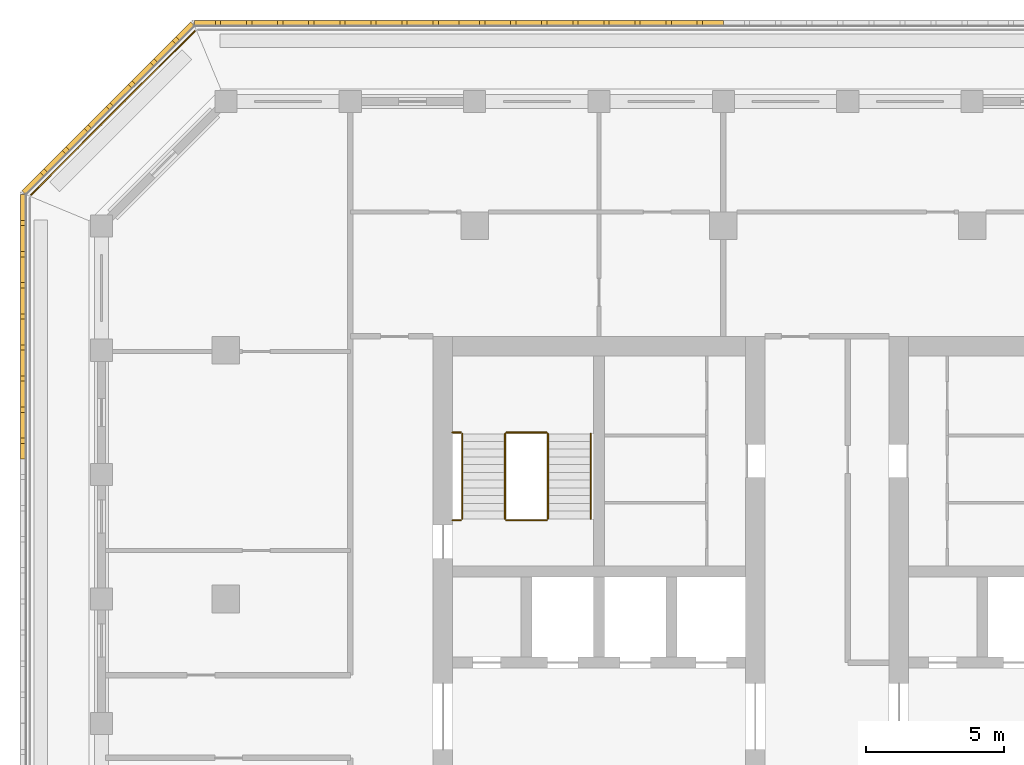
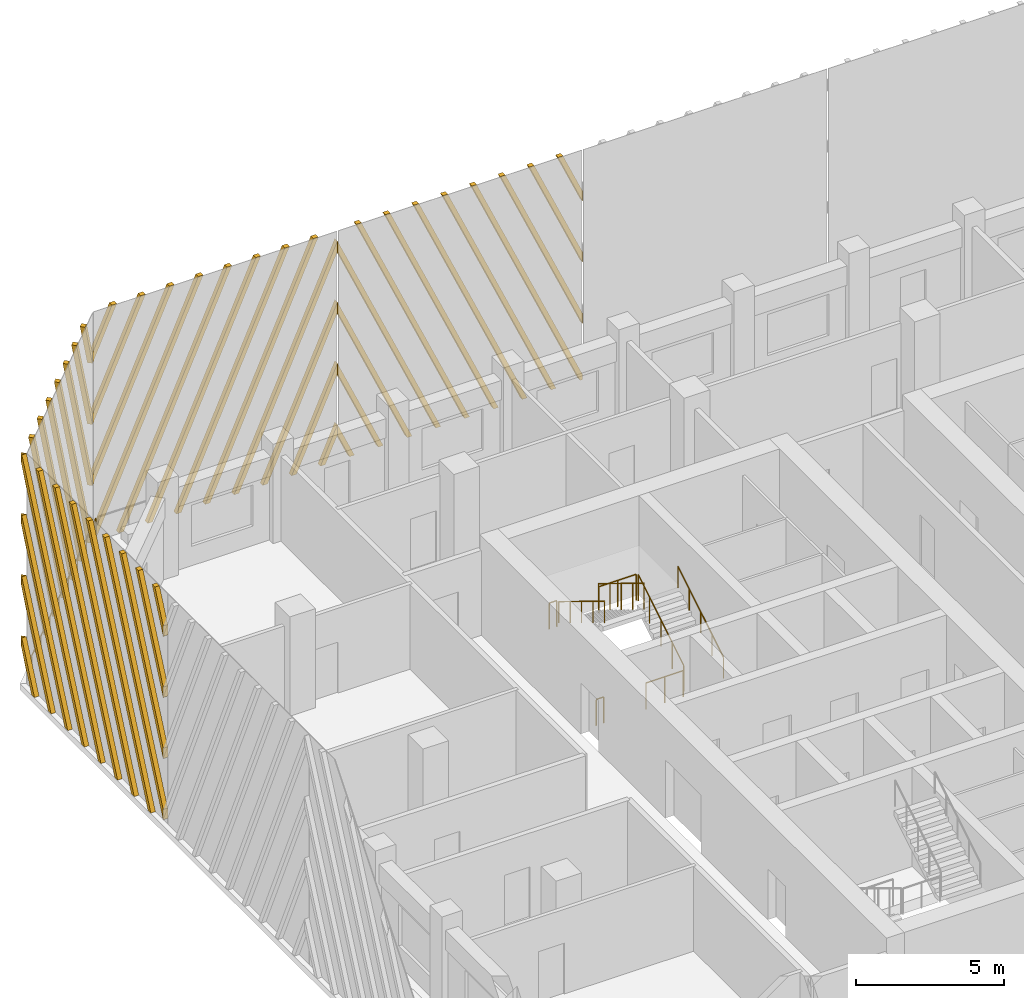
# One storey, part 13 of 16: 9 railings, 4 shading devices.
"""IFC4 building model written with IfcOpenShell, lengths in metres."""

import ifcopenshell
import ifcopenshell.guid

model = None  # the IFC model being written
_history = None  # IfcOwnerHistory: only IFC2X3 demands one
_inside = {}  # id of a spatial element -> (the spatial element, [elements in it])
_under = {}  # id of a project, library or spatial element -> (it, [spatial elements below it])
_declared = {}  # id of a project -> (the project, [libraries it declares])
_typed = {}  # id of a type object -> (the type object, [elements of that type])
_made_of = {}  # id of a material, layer set ... -> (it, [elements and type objects made of it])


def new_model(schema):
    """Start an empty IFC model of exactly this schema.

    Asked for "IFC4X3", IfcOpenShell would pick the latest addendum, in which some entities
    have other attributes; the version numbers below select the first issue.
    IFC2X3 requires an IfcOwnerHistory on every rooted entity: one is made here for all.
    """
    global model, _history
    if schema == "IFC4X3":
        model = ifcopenshell.file(schema_version=(4, 3, 0, 0))
    else:
        model = ifcopenshell.file(schema=schema)
    _inside.clear()
    _under.clear()
    _declared.clear()
    _typed.clear()
    _made_of.clear()
    _history = None
    if model.schema == "IFC2X3":
        org = make("IfcOrganization", Name="unknown")
        user = make(
            "IfcPersonAndOrganization",
            ThePerson=make("IfcPerson", FamilyName="unknown"),
            TheOrganization=org,
        )
        app = make(
            "IfcApplication",
            ApplicationDeveloper=org,
            Version="unknown",
            ApplicationFullName="unknown",
            ApplicationIdentifier="unknown",
        )
        _history = make(
            "IfcOwnerHistory",
            OwningUser=user,
            OwningApplication=app,
            ChangeAction="ADDED",
            CreationDate=0,
        )
    return model


def make(cls, **values):
    """One entity of the class cls with the attributes given. An attribute that is None is left unset."""
    return model.create_entity(
        cls, **{name: value for name, value in values.items() if value is not None}
    )


def rooted(cls, **values):
    """An entity with a GlobalId (a new one), such as an element, a storey or a relation."""
    return make(cls, GlobalId=ifcopenshell.guid.new(), OwnerHistory=_history, **values)


def si_unit(unit_type, name, prefix=None):
    """IfcSIUnit, for example si_unit("LENGTHUNIT", "METRE", prefix="MILLI")."""
    return make("IfcSIUnit", UnitType=unit_type, Prefix=prefix, Name=name)


def assignment(units):
    """IfcUnitAssignment: the units of a project."""
    return None if units is None else make("IfcUnitAssignment", Units=units)


def point(xyz):
    """IfcCartesianPoint."""
    return None if xyz is None else make("IfcCartesianPoint", Coordinates=xyz)


def direction(xyz):
    """IfcDirection."""
    return None if xyz is None else make("IfcDirection", DirectionRatios=xyz)


def frame(location, z_axis=None, x_axis=None):
    """IfcAxis2Placement3D, a coordinate frame: its origin and axes. An axis left out is left unset."""
    return make(
        "IfcAxis2Placement3D",
        Location=point(location),
        Axis=direction(z_axis),
        RefDirection=direction(x_axis),
    )


def frame_2d(location, x_axis=None):
    """IfcAxis2Placement2D, a coordinate frame in the plane: its origin and x axis."""
    return make(
        "IfcAxis2Placement2D", Location=point(location), RefDirection=direction(x_axis)
    )


def origin():
    """The frame at (0, 0, 0) with its axes left unset."""
    return frame((0.0, 0.0, 0.0))


def origin_2d():
    """The frame at (0, 0) in the plane with its x axis left unset."""
    return frame_2d((0.0, 0.0))


def place(relative_to, where):
    """IfcLocalPlacement: puts the frame where relative to a parent placement (None: the world)."""
    return make(
        "IfcLocalPlacement", PlacementRelTo=relative_to, RelativePlacement=where
    )


def context(
    kind, dimensions, precision=None, world=None, true_north=None, identifier=None
):
    """IfcGeometricRepresentationContext, for example the 3D "Model" context."""
    return make(
        "IfcGeometricRepresentationContext",
        ContextIdentifier=identifier,
        ContextType=kind,
        CoordinateSpaceDimension=dimensions,
        Precision=precision,
        WorldCoordinateSystem=world,
        TrueNorth=true_north,
    )


def subcontext(parent, identifier, kind, view, scale=None):
    """IfcGeometricRepresentationSubContext, for example "Body" below "Model"."""
    return make(
        "IfcGeometricRepresentationSubContext",
        ContextIdentifier=identifier,
        ContextType=kind,
        ParentContext=parent,
        TargetScale=scale,
        TargetView=view,
    )


def project(units=None, contexts=None):
    """IfcProject with its units and contexts."""
    return rooted(
        "IfcProject",
        Name="project",
        RepresentationContexts=contexts,
        UnitsInContext=assignment(units),
    )


def spatial(cls, under=None, at=None, **own):
    """A site, building, storey or space (cls), placed at a placement, below another one or the project."""
    s = rooted(cls, ObjectPlacement=at, **own)
    if under is not None:
        _under.setdefault(under.id(), (under, []))[1].append(s)
    return s


def polyline(points):
    """IfcPolyline through the points."""
    return make("IfcPolyline", Points=[point(p) for p in points])


def profile(cls, at=None, kind="AREA", **sizes):
    """A parametric profile (cls). Its sizes go by their IFC names, for example OverallWidth=200.0."""
    return make(cls, ProfileType=kind, Position=at, **sizes)


def circle(**sizes):
    """IfcCircleProfileDef."""
    return profile("IfcCircleProfileDef", **sizes)


def outline(outer, holes=None, kind="AREA"):
    """IfcArbitraryClosedProfileDef: a profile drawn as a closed curve; with holes, ...WithVoids."""
    if holes is None:
        return make("IfcArbitraryClosedProfileDef", ProfileType=kind, OuterCurve=outer)
    return make(
        "IfcArbitraryProfileDefWithVoids",
        ProfileType=kind,
        OuterCurve=outer,
        InnerCurves=holes,
    )


def extrude(swept, where, along, depth):
    """IfcExtrudedAreaSolid: the profile swept, set in the frame where, extruded along a direction by depth."""
    return make(
        "IfcExtrudedAreaSolid",
        SweptArea=swept,
        Position=where,
        ExtrudedDirection=direction(along),
        Depth=depth,
    )


def shape(context_of_items, identifier, shape_type, items):
    """IfcShapeRepresentation: the items that make up one representation, for example the "Body"."""
    return make(
        "IfcShapeRepresentation",
        ContextOfItems=context_of_items,
        RepresentationIdentifier=identifier,
        RepresentationType=shape_type,
        Items=items,
    )


def source(mapping_origin, context_of_items, identifier, shape_type, items):
    """IfcRepresentationMap: a shape defined once, which mapped items show again and again."""
    return make(
        "IfcRepresentationMap",
        MappingOrigin=mapping_origin,
        MappedRepresentation=shape(context_of_items, identifier, shape_type, items),
    )


def transform(
    local_origin,
    x_axis=None,
    y_axis=None,
    z_axis=None,
    scale=None,
    scale2=None,
    scale3=None,
    uniform=True,
):
    """IfcCartesianTransformationOperator3D, or its non-uniform kind. x_axis, y_axis, z_axis: its Axis1, 2, 3."""
    if uniform:
        return make(
            "IfcCartesianTransformationOperator3D",
            Axis1=direction(x_axis),
            Axis2=direction(y_axis),
            LocalOrigin=point(local_origin),
            Scale=scale,
            Axis3=direction(z_axis),
        )
    return make(
        "IfcCartesianTransformationOperator3DnonUniform",
        Axis1=direction(x_axis),
        Axis2=direction(y_axis),
        LocalOrigin=point(local_origin),
        Scale=scale,
        Axis3=direction(z_axis),
        Scale2=scale2,
        Scale3=scale3,
    )


def mapped(mapping_source, mapping_target):
    """IfcMappedItem: shows the shape of a source again, moved by a transform."""
    return make(
        "IfcMappedItem", MappingSource=mapping_source, MappingTarget=mapping_target
    )


def material(Name=None, Category=None):
    """IfcMaterial."""
    return make("IfcMaterial", Name=Name, Category=Category)


def made_of(thing, what):
    """Note that an element or type object is made of a material, layer set ...; save() writes the relation."""
    if what is not None:
        _made_of.setdefault(what.id(), (what, []))[1].append(thing)
    return thing


def type_object(cls, material=None, **own):
    """A type object (cls), such as IfcWallType, which elements share."""
    return made_of(rooted(cls, **own), material)


def element(
    cls,
    number,
    at=None,
    inside=None,
    cuts=None,
    type_object=None,
    material=None,
    context=None,
    identifier="Body",
    shape_type=None,
    held_by="IfcProductDefinitionShape",
    body=None,
    shapes=None,
    **own,
):
    """One element of the class cls, such as IfcWall. Its Tag is "e" and its number.

    at: its placement. inside: the storey or other place that contains it. cuts: it is an
    opening in that element (IfcRelVoidsElement). A single representation is given by context,
    identifier, shape_type and body (its items); several are given by shapes. held_by: the class
    of the entity that holds the representations. save() writes the other relations.
    """
    e = rooted(cls, Tag="e%d" % number, ObjectPlacement=at, **own)
    if body is not None:
        shapes = [shape(context, identifier, shape_type, body)]
    if shapes is not None:
        e.Representation = make(held_by, Representations=shapes)
    if inside is not None:
        _inside.setdefault(inside.id(), (inside, []))[1].append(e)
    if cuts is not None:
        rooted(
            "IfcRelVoidsElement", RelatingBuildingElement=cuts, RelatedOpeningElement=e
        )
    if type_object is not None:
        _typed.setdefault(type_object.id(), (type_object, []))[1].append(e)
    return made_of(e, material)


def aggregate(whole, parts):
    """IfcRelAggregates: a whole, such as a stair, and the parts it consists of."""
    return rooted("IfcRelAggregates", RelatingObject=whole, RelatedObjects=parts)


def save(model, path):
    """Write the relations noted so far, then the file.

    IfcRelAggregates (storeys below a building ...), IfcRelContainedInSpatialStructure (elements
    in a storey), IfcRelDefinesByType, IfcRelAssociatesMaterial and IfcRelDeclares: one each for
    every whole, place, type object, material and project.
    """
    for whole, parts in _under.values():
        aggregate(whole, parts)
    for where, things in _inside.values():
        rooted(
            "IfcRelContainedInSpatialStructure",
            RelatedElements=things,
            RelatingStructure=where,
        )
    for kind, things in _typed.values():
        rooted("IfcRelDefinesByType", RelatedObjects=things, RelatingType=kind)
    for what, things in _made_of.values():
        rooted("IfcRelAssociatesMaterial", RelatedObjects=things, RelatingMaterial=what)
    for by, libraries in _declared.values():
        rooted("IfcRelDeclares", RelatingContext=by, RelatedDefinitions=libraries)
    model.write(path)


model = new_model("IFC4")

# Units and contexts
model_context = context("Model", 3, precision=1e-05, world=origin(), true_north=direction((0.0, 1.0)))
body_context = subcontext(model_context, "Body", "Model", "MODEL_VIEW")
ifc_project = project(units=[si_unit("LENGTHUNIT", "METRE"), si_unit("AREAUNIT", "SQUARE_METRE"), si_unit("VOLUMEUNIT", "CUBIC_METRE"), si_unit("PLANEANGLEUNIT", "RADIAN"), si_unit("MASSUNIT", "GRAM", prefix="KILO")], contexts=[model_context])

# Site, building, storey
site_placement = place(None, origin())
site = spatial("IfcSite", under=ifc_project, at=site_placement, CompositionType="ELEMENT")
building_placement = place(site_placement, origin())
building = spatial("IfcBuilding", under=site, at=building_placement, Name="Corbel Stack Research Tower", CompositionType="ELEMENT")
storey_placement = place(building_placement, frame((0.0, 0.0, 290.89990234375)))
storey = spatial("IfcBuildingStorey", under=building, at=storey_placement, Name="L66", CompositionType="ELEMENT", Elevation=290.89990234375)

# Railings
ifc_material_1 = material(Name="Steel S355", Category="steel")
railing_type_1 = type_object("IfcRailingType", Name="Stair guard 1100", PredefinedType="GUARDRAIL", material=ifc_material_1)
railing_1_placement = place(storey_placement, frame((-6.35009765625, 11.89990234375, 0.1708984375)))
element("IfcRailing", 1, at=railing_1_placement, inside=storey, type_object=railing_type_1, Name="L66 ST-W2 stair guard 1", PredefinedType="GUARDRAIL", context=body_context, shape_type="SweptSolid", body=[
    extrude(circle(Radius=0.02392578125, at=origin_2d()), frame((0.0, 0.0, 1.076171875), z_axis=(0.0, 0.853666305674, 0.52082035152), x_axis=(-1.0, 0.0, 0.0)), (0.0, 0.0, 1.0), 3.608154296875),
    extrude(circle(Radius=0.02099609375, at=origin_2d()), origin(), (0.0, 0.0, 1.0), 1.052001953125),
    extrude(circle(Radius=0.02099609375, at=origin_2d()), frame((0.0, 0.77001953125, 0.4697265625)), (0.0, 0.0, 1.0), 1.052001953125),
    extrude(circle(Radius=0.02099609375, at=origin_2d()), frame((0.0, 1.5400390625, 0.939453125)), (0.0, 0.0, 1.0), 1.052001953125),
    extrude(circle(Radius=0.02099609375, at=origin_2d()), frame((0.0, 2.31005859375, 1.409423828125)), (0.0, 0.0, 1.0), 1.052001953125),
    extrude(circle(Radius=0.02099609375, at=origin_2d()), frame((0.0, 3.080078125, 1.879150390625)), (0.0, 0.0, 1.0), 1.052001953125),
])
railing_2_placement = place(storey_placement, frame((-6.39990234375, 15.030029296875, 2.050048828125)))
element("IfcRailing", 2, at=railing_2_placement, inside=storey, type_object=railing_type_1, Name="L66 ST-W2 stair guard 2", PredefinedType="GUARDRAIL", context=body_context, shape_type="SweptSolid", body=[
    extrude(circle(Radius=0.02392578125, at=origin_2d()), frame((0.0, 0.0, 1.076171875), z_axis=(-1.0, 0.0, 0.0), x_axis=(0.0, -1.0, 0.0)), (0.0, 0.0, 1.0), 1.4501953125),
    extrude(circle(Radius=0.02099609375, at=origin_2d()), origin(), (0.0, 0.0, 1.0), 1.052001953125),
    extrude(circle(Radius=0.02099609375, at=origin_2d()), frame((-0.72509765625, 0.0, 0.0)), (0.0, 0.0, 1.0), 1.052001953125),
    extrude(circle(Radius=0.02099609375, at=origin_2d()), frame((-1.4501953125, 0.0, 0.0)), (0.0, 0.0, 1.0), 1.052001953125),
])
railing_3_placement = place(storey_placement, frame((-9.5, 15.030029296875, 2.050048828125)))
element("IfcRailing", 3, at=railing_3_placement, inside=storey, type_object=railing_type_1, Name="L66 ST-W2 stair guard 3", PredefinedType="GUARDRAIL", context=body_context, shape_type="SweptSolid", body=[
    extrude(circle(Radius=0.02392578125, at=origin_2d()), frame((0.0, 0.0, 1.076171875), z_axis=(-1.0, 0.0, 0.0), x_axis=(0.0, -1.0, 0.0)), (0.0, 0.0, 1.0), 0.300048828125),
    extrude(circle(Radius=0.02099609375, at=origin_2d()), origin(), (0.0, 0.0, 1.0), 1.052001953125),
    extrude(circle(Radius=0.02099609375, at=origin_2d()), frame((-0.300048828125, 0.0, 0.0)), (0.0, 0.0, 1.0), 1.052001953125),
])
railing_4_placement = place(storey_placement, frame((-7.89990234375, 14.97998046875, 2.220947265625)))
element("IfcRailing", 4, at=railing_4_placement, inside=storey, type_object=railing_type_1, Name="L66 ST-W2 stair guard 4", PredefinedType="GUARDRAIL", context=body_context, shape_type="SweptSolid", body=[
    extrude(circle(Radius=0.02392578125, at=origin_2d()), frame((0.0, 0.0, 1.076171875), z_axis=(0.0, -0.853666305674, 0.52082035152), x_axis=(1.0, 0.0, 0.0)), (0.0, 0.0, 1.0), 3.608154296875),
    extrude(circle(Radius=0.02099609375, at=origin_2d()), origin(), (0.0, 0.0, 1.0), 1.052001953125),
    extrude(circle(Radius=0.02099609375, at=origin_2d()), frame((0.0, -0.77001953125, 0.4697265625)), (0.0, 0.0, 1.0), 1.052001953125),
    extrude(circle(Radius=0.02099609375, at=origin_2d()), frame((0.0, -1.5400390625, 0.939453125)), (0.0, 0.0, 1.0), 1.052001953125),
    extrude(circle(Radius=0.02099609375, at=origin_2d()), frame((0.0, -2.31005859375, 1.409423828125)), (0.0, 0.0, 1.0), 1.052001953125),
    extrude(circle(Radius=0.02099609375, at=origin_2d()), frame((0.0, -3.080078125, 1.879150390625)), (0.0, 0.0, 1.0), 1.052001953125),
])
railing_5_placement = place(storey_placement, frame((-6.39990234375, 11.85009765625, 0.0)))
element("IfcRailing", 5, at=railing_5_placement, inside=storey, type_object=railing_type_1, Name="L66 ST-W2 stair guard 5", PredefinedType="GUARDRAIL", context=body_context, shape_type="SweptSolid", body=[
    extrude(circle(Radius=0.02392578125, at=origin_2d()), frame((0.0, 0.0, 1.076171875), z_axis=(-1.0, 0.0, 0.0), x_axis=(0.0, -1.0, 0.0)), (0.0, 0.0, 1.0), 1.4501953125),
    extrude(circle(Radius=0.02099609375, at=origin_2d()), origin(), (0.0, 0.0, 1.0), 1.052001953125),
    extrude(circle(Radius=0.02099609375, at=origin_2d()), frame((-0.72509765625, 0.0, 0.0)), (0.0, 0.0, 1.0), 1.052001953125),
    extrude(circle(Radius=0.02099609375, at=origin_2d()), frame((-1.4501953125, 0.0, 0.0)), (0.0, 0.0, 1.0), 1.052001953125),
])
railing_6_placement = place(storey_placement, frame((-9.5, 11.85009765625, 0.0)))
element("IfcRailing", 6, at=railing_6_placement, inside=storey, type_object=railing_type_1, Name="L66 ST-W2 stair guard 6", PredefinedType="GUARDRAIL", context=body_context, shape_type="SweptSolid", body=[
    extrude(circle(Radius=0.02392578125, at=origin_2d()), frame((0.0, 0.0, 1.076171875), z_axis=(-1.0, 0.0, 0.0), x_axis=(0.0, -1.0, 0.0)), (0.0, 0.0, 1.0), 0.300048828125),
    extrude(circle(Radius=0.02099609375, at=origin_2d()), origin(), (0.0, 0.0, 1.0), 1.052001953125),
    extrude(circle(Radius=0.02099609375, at=origin_2d()), frame((-0.300048828125, 0.0, 0.0)), (0.0, 0.0, 1.0), 1.052001953125),
])
ifc_material_2 = material(Name="Steel S355", Category="steel")
railing_type_2 = type_object("IfcRailingType", Name="Stair handrail 900", PredefinedType="HANDRAIL", material=ifc_material_2)
railing_7_placement = place(storey_placement, frame((-4.800048828125, 11.89990234375, 0.1708984375)))
element("IfcRailing", 7, at=railing_7_placement, inside=storey, type_object=railing_type_2, Name="L66 ST-W2 stair handrail 1", PredefinedType="HANDRAIL", context=body_context, shape_type="SweptSolid", body=[
    extrude(circle(Radius=0.02392578125, at=origin_2d()), frame((0.0, 0.0, 0.8759765625), z_axis=(0.0, 0.853666305674, 0.52082035152), x_axis=(-1.0, 0.0, 0.0)), (0.0, 0.0, 1.0), 3.608154296875),
    extrude(circle(Radius=0.02099609375, at=origin_2d()), origin(), (0.0, 0.0, 1.0), 0.851806640625),
    extrude(circle(Radius=0.02099609375, at=origin_2d()), frame((0.0, 0.77001953125, 0.4697265625)), (0.0, 0.0, 1.0), 0.851806640625),
    extrude(circle(Radius=0.02099609375, at=origin_2d()), frame((0.0, 1.5400390625, 0.939453125)), (0.0, 0.0, 1.0), 0.851806640625),
    extrude(circle(Radius=0.02099609375, at=origin_2d()), frame((0.0, 2.31005859375, 1.409423828125)), (0.0, 0.0, 1.0), 0.851806640625),
    extrude(circle(Radius=0.02099609375, at=origin_2d()), frame((0.0, 3.080078125, 1.879150390625)), (0.0, 0.0, 1.0), 0.851806640625),
])
railing_8_placement = place(storey_placement, frame((-9.449951171875, 14.97998046875, 2.220947265625)))
element("IfcRailing", 8, at=railing_8_placement, inside=storey, type_object=railing_type_2, Name="L66 ST-W2 stair handrail 2", PredefinedType="HANDRAIL", context=body_context, shape_type="SweptSolid", body=[
    extrude(circle(Radius=0.02392578125, at=origin_2d()), frame((0.0, 0.0, 0.8759765625), z_axis=(0.0, -0.853666305674, 0.52082035152), x_axis=(1.0, 0.0, 0.0)), (0.0, 0.0, 1.0), 3.608154296875),
    extrude(circle(Radius=0.02099609375, at=origin_2d()), origin(), (0.0, 0.0, 1.0), 0.851806640625),
    extrude(circle(Radius=0.02099609375, at=origin_2d()), frame((0.0, -0.77001953125, 0.4697265625)), (0.0, 0.0, 1.0), 0.851806640625),
    extrude(circle(Radius=0.02099609375, at=origin_2d()), frame((0.0, -1.5400390625, 0.939453125)), (0.0, 0.0, 1.0), 0.851806640625),
    extrude(circle(Radius=0.02099609375, at=origin_2d()), frame((0.0, -2.31005859375, 1.409423828125)), (0.0, 0.0, 1.0), 0.851806640625),
    extrude(circle(Radius=0.02099609375, at=origin_2d()), frame((0.0, -3.080078125, 1.879150390625)), (0.0, 0.0, 1.0), 0.851806640625),
])
ifc_material_3 = material(Name="Powder-coated steel guard", Category="steel")
railing_type_3 = type_object("IfcRailingType", Name="Steel and glass guard 1100", PredefinedType="GUARDRAIL", material=ifc_material_3)
railing_9_placement = place(storey_placement, frame((-19.127685546875, 29.54931640625, 0.0)))
element("IfcRailing", 9, at=railing_9_placement, inside=storey, type_object=railing_type_3, Name="Loggia guard L66 NW", PredefinedType="GUARDRAIL", context=body_context, shape_type="SweptSolid", body=[
    extrude(circle(Radius=0.02392578125, at=origin_2d()), frame((0.0, 0.0, 1.076171875), z_axis=(-0.707106781187, -0.707106781187, 0.0), x_axis=(0.707106781187, -0.707106781187, 0.0)), (0.0, 0.0, 1.0), 8.37451171875),
    extrude(circle(Radius=0.02099609375, at=origin_2d()), origin(), (0.0, 0.0, 1.0), 1.052001953125),
    extrude(circle(Radius=0.02099609375, at=origin_2d()), frame((-0.845947265625, -0.845947265625, 0.0)), (0.0, 0.0, 1.0), 1.052001953125),
    extrude(circle(Radius=0.02099609375, at=origin_2d()), frame((-1.69189453125, -1.69189453125, 0.0)), (0.0, 0.0, 1.0), 1.052001953125),
    extrude(circle(Radius=0.02099609375, at=origin_2d()), frame((-2.537841796875, -2.537841796875, 0.0)), (0.0, 0.0, 1.0), 1.052001953125),
    extrude(circle(Radius=0.02099609375, at=origin_2d()), frame((-3.3837890625, -3.3837890625, 0.0)), (0.0, 0.0, 1.0), 1.052001953125),
    extrude(circle(Radius=0.02099609375, at=origin_2d()), frame((-4.229736328125, -4.229736328125, 0.0)), (0.0, 0.0, 1.0), 1.052001953125),
    extrude(circle(Radius=0.02099609375, at=origin_2d()), frame((-5.07568359375, -5.07568359375, 0.0)), (0.0, 0.0, 1.0), 1.052001953125),
    extrude(circle(Radius=0.02099609375, at=origin_2d()), frame((-5.921630859375, -5.921630859375, 0.0)), (0.0, 0.0, 1.0), 1.052001953125),
])

# Shading devices
ifc_material_4 = material(Name="Precast terracotta", Category="masonry")
shading_device_type = type_object("IfcShadingDeviceType", Name="Terracotta screen panel", PredefinedType="USERDEFINED", material=ifc_material_4)
shared_shape_1 = source(origin(), body_context, "Body", "SweptSolid", [
    extrude(outline(polyline([(0.94970703125, 9.5), (0.759765625, 9.5), (0.0, 7.793701171875), (0.0, 7.366943359375), (0.94970703125, 9.5)])), frame((0.0, 0.0, 0.0), z_axis=(0.0, -1.0, 0.0), x_axis=(1.0, 0.0, 0.0)), (0.0, 0.0, 1.0), 0.179931640625),
    extrude(outline(polyline([(2.07470703125, 9.5), (1.884765625, 9.5), (0.0, 5.26708984375), (0.0, 4.840087890625), (2.07470703125, 9.5)])), frame((0.0, 0.0, 0.0), z_axis=(0.0, -1.0, 0.0), x_axis=(1.0, 0.0, 0.0)), (0.0, 0.0, 1.0), 0.179931640625),
    extrude(outline(polyline([(3.19970703125, 9.5), (3.009765625, 9.5), (0.0, 2.740234375), (0.0, 2.3134765625), (3.19970703125, 9.5)])), frame((0.0, 0.0, 0.0), z_axis=(0.0, -1.0, 0.0), x_axis=(1.0, 0.0, 0.0)), (0.0, 0.0, 1.0), 0.179931640625),
    extrude(outline(polyline([(0.094970703125, 0.0), (4.32470703125, 9.5), (4.134765625, 9.5), (0.0, 0.21337890625), (0.0, 0.0), (0.094970703125, 0.0)])), frame((0.0, 0.0, 0.0), z_axis=(0.0, -1.0, 0.0), x_axis=(1.0, 0.0, 0.0)), (0.0, 0.0, 1.0), 0.179931640625),
    extrude(outline(polyline([(1.219970703125, 0.0), (5.44970703125, 9.5), (5.259765625, 9.5), (1.030029296875, 0.0), (1.219970703125, 0.0)])), frame((0.0, 0.0, 0.0), z_axis=(0.0, -1.0, 0.0), x_axis=(1.0, 0.0, 0.0)), (0.0, 0.0, 1.0), 0.179931640625),
    extrude(outline(polyline([(2.344970703125, 0.0), (6.57470703125, 9.5), (6.384765625, 9.5), (2.155029296875, 0.0), (2.344970703125, 0.0)])), frame((0.0, 0.0, 0.0), z_axis=(0.0, -1.0, 0.0), x_axis=(1.0, 0.0, 0.0)), (0.0, 0.0, 1.0), 0.179931640625),
    extrude(outline(polyline([(3.469970703125, 0.0), (7.69970703125, 9.5), (7.509765625, 9.5), (3.280029296875, 0.0), (3.469970703125, 0.0)])), frame((0.0, 0.0, 0.0), z_axis=(0.0, -1.0, 0.0), x_axis=(1.0, 0.0, 0.0)), (0.0, 0.0, 1.0), 0.179931640625),
    extrude(outline(polyline([(4.594970703125, 0.0), (8.82470703125, 9.5), (8.634765625, 9.5), (4.405029296875, 0.0), (4.594970703125, 0.0)])), frame((0.0, 0.0, 0.0), z_axis=(0.0, -1.0, 0.0), x_axis=(1.0, 0.0, 0.0)), (0.0, 0.0, 1.0), 0.179931640625),
    extrude(outline(polyline([(5.719970703125, 0.0), (9.569580078125, 8.646240234375), (9.569580078125, 9.072998046875), (5.530029296875, 0.0), (5.719970703125, 0.0)])), frame((0.0, 0.0, 0.0), z_axis=(0.0, -1.0, 0.0), x_axis=(1.0, 0.0, 0.0)), (0.0, 0.0, 1.0), 0.179931640625),
    extrude(outline(polyline([(6.844970703125, 0.0), (9.569580078125, 6.119384765625), (9.569580078125, 6.546142578125), (6.655029296875, 0.0), (6.844970703125, 0.0)])), frame((0.0, 0.0, 0.0), z_axis=(0.0, -1.0, 0.0), x_axis=(1.0, 0.0, 0.0)), (0.0, 0.0, 1.0), 0.179931640625),
    extrude(outline(polyline([(7.969970703125, 0.0), (9.569580078125, 3.592529296875), (9.569580078125, 4.019287109375), (7.780029296875, 0.0), (7.969970703125, 0.0)])), frame((0.0, 0.0, 0.0), z_axis=(0.0, -1.0, 0.0), x_axis=(1.0, 0.0, 0.0)), (0.0, 0.0, 1.0), 0.179931640625),
    extrude(outline(polyline([(9.094970703125, 0.0), (9.569580078125, 1.06591796875), (9.569580078125, 1.49267578125), (8.905029296875, 0.0), (9.094970703125, 0.0)])), frame((0.0, 0.0, 0.0), z_axis=(0.0, -1.0, 0.0), x_axis=(1.0, 0.0, 0.0)), (0.0, 0.0, 1.0), 0.179931640625),
])
shading_device_1_placement = place(storey_placement, frame((0.0, 29.75, 0.0), z_axis=(0.0, 0.0, 1.0), x_axis=(-1.0, 0.0, 0.0)))
element("IfcShadingDevice", 10, at=shading_device_1_placement, inside=storey, type_object=shading_device_type, Name="Terracotta screen L66 N3", ObjectType="SCREEN", PredefinedType="USERDEFINED", context=body_context, shape_type="MappedRepresentation", body=[
    mapped(shared_shape_1, transform((0.0, 0.0, 0.0))),
])
shared_shape_2 = source(origin(), body_context, "Body", "SweptSolid", [
    extrude(outline(polyline([(0.66455078125, 0.0), (0.0, 1.49267578125), (0.0, 1.06591796875), (0.474609375, 0.0), (0.66455078125, 0.0)])), frame((0.0, 0.0, 0.0), z_axis=(0.0, -1.0, 0.0), x_axis=(1.0, 0.0, 0.0)), (0.0, 0.0, 1.0), 0.179931640625),
    extrude(outline(polyline([(1.78955078125, 0.0), (0.0, 4.019287109375), (0.0, 3.592529296875), (1.599609375, 0.0), (1.78955078125, 0.0)])), frame((0.0, 0.0, 0.0), z_axis=(0.0, -1.0, 0.0), x_axis=(1.0, 0.0, 0.0)), (0.0, 0.0, 1.0), 0.179931640625),
    extrude(outline(polyline([(2.91455078125, 0.0), (0.0, 6.546142578125), (0.0, 6.119384765625), (2.724609375, 0.0), (2.91455078125, 0.0)])), frame((0.0, 0.0, 0.0), z_axis=(0.0, -1.0, 0.0), x_axis=(1.0, 0.0, 0.0)), (0.0, 0.0, 1.0), 0.179931640625),
    extrude(outline(polyline([(4.03955078125, 0.0), (0.0, 9.072998046875), (0.0, 8.646240234375), (3.849609375, 0.0), (4.03955078125, 0.0)])), frame((0.0, 0.0, 0.0), z_axis=(0.0, -1.0, 0.0), x_axis=(1.0, 0.0, 0.0)), (0.0, 0.0, 1.0), 0.179931640625),
    extrude(outline(polyline([(5.16455078125, 0.0), (0.934814453125, 9.5), (0.744873046875, 9.5), (4.974609375, 0.0), (5.16455078125, 0.0)])), frame((0.0, 0.0, 0.0), z_axis=(0.0, -1.0, 0.0), x_axis=(1.0, 0.0, 0.0)), (0.0, 0.0, 1.0), 0.179931640625),
    extrude(outline(polyline([(6.28955078125, 0.0), (2.059814453125, 9.5), (1.869873046875, 9.5), (6.099609375, 0.0), (6.28955078125, 0.0)])), frame((0.0, 0.0, 0.0), z_axis=(0.0, -1.0, 0.0), x_axis=(1.0, 0.0, 0.0)), (0.0, 0.0, 1.0), 0.179931640625),
    extrude(outline(polyline([(7.41455078125, 0.0), (3.184814453125, 9.5), (2.994873046875, 9.5), (7.224609375, 0.0), (7.41455078125, 0.0)])), frame((0.0, 0.0, 0.0), z_axis=(0.0, -1.0, 0.0), x_axis=(1.0, 0.0, 0.0)), (0.0, 0.0, 1.0), 0.179931640625),
    extrude(outline(polyline([(8.53955078125, 0.0), (4.309814453125, 9.5), (4.119873046875, 9.5), (8.349609375, 0.0), (8.53955078125, 0.0)])), frame((0.0, 0.0, 0.0), z_axis=(0.0, -1.0, 0.0), x_axis=(1.0, 0.0, 0.0)), (0.0, 0.0, 1.0), 0.179931640625),
    extrude(outline(polyline([(9.569580078125, 0.0), (9.569580078125, 0.21337890625), (5.434814453125, 9.5), (5.244873046875, 9.5), (9.474609375, 0.0), (9.569580078125, 0.0)])), frame((0.0, 0.0, 0.0), z_axis=(0.0, -1.0, 0.0), x_axis=(1.0, 0.0, 0.0)), (0.0, 0.0, 1.0), 0.179931640625),
    extrude(outline(polyline([(6.559814453125, 9.5), (6.369873046875, 9.5), (9.569580078125, 2.3134765625), (9.569580078125, 2.740234375), (6.559814453125, 9.5)])), frame((0.0, 0.0, 0.0), z_axis=(0.0, -1.0, 0.0), x_axis=(1.0, 0.0, 0.0)), (0.0, 0.0, 1.0), 0.179931640625),
    extrude(outline(polyline([(7.684814453125, 9.5), (7.494873046875, 9.5), (9.569580078125, 4.840087890625), (9.569580078125, 5.26708984375), (7.684814453125, 9.5)])), frame((0.0, 0.0, 0.0), z_axis=(0.0, -1.0, 0.0), x_axis=(1.0, 0.0, 0.0)), (0.0, 0.0, 1.0), 0.179931640625),
    extrude(outline(polyline([(8.809814453125, 9.5), (8.619873046875, 9.5), (9.569580078125, 7.366943359375), (9.569580078125, 7.793701171875), (8.809814453125, 9.5)])), frame((0.0, 0.0, 0.0), z_axis=(0.0, -1.0, 0.0), x_axis=(1.0, 0.0, 0.0)), (0.0, 0.0, 1.0), 0.179931640625),
])
shading_device_2_placement = place(storey_placement, frame((-9.569580078125, 29.75, 0.0), z_axis=(0.0, 0.0, 1.0), x_axis=(-1.0, 0.0, 0.0)))
element("IfcShadingDevice", 11, at=shading_device_2_placement, inside=storey, type_object=shading_device_type, Name="Terracotta screen L66 N4", ObjectType="SCREEN", PredefinedType="USERDEFINED", context=body_context, shape_type="MappedRepresentation", body=[
    mapped(shared_shape_2, transform((0.0, 0.0, 0.0))),
])
shared_shape_3 = source(origin(), body_context, "Body", "SweptSolid", [
    extrude(outline(polyline([(0.94970703125, 9.5), (0.759765625, 9.5), (0.0, 7.793701171875), (0.0, 7.366943359375), (0.94970703125, 9.5)])), frame((0.0, 0.0, 0.0), z_axis=(0.0, -1.0, 0.0), x_axis=(1.0, 0.0, 0.0)), (0.0, 0.0, 1.0), 0.179931640625),
    extrude(outline(polyline([(2.07470703125, 9.5), (1.884765625, 9.5), (0.0, 5.26708984375), (0.0, 4.840087890625), (2.07470703125, 9.5)])), frame((0.0, 0.0, 0.0), z_axis=(0.0, -1.0, 0.0), x_axis=(1.0, 0.0, 0.0)), (0.0, 0.0, 1.0), 0.179931640625),
    extrude(outline(polyline([(3.19970703125, 9.5), (3.009765625, 9.5), (0.0, 2.740234375), (0.0, 2.3134765625), (3.19970703125, 9.5)])), frame((0.0, 0.0, 0.0), z_axis=(0.0, -1.0, 0.0), x_axis=(1.0, 0.0, 0.0)), (0.0, 0.0, 1.0), 0.179931640625),
    extrude(outline(polyline([(0.094970703125, 0.0), (4.32470703125, 9.5), (4.134765625, 9.5), (0.0, 0.21337890625), (0.0, 0.0), (0.094970703125, 0.0)])), frame((0.0, 0.0, 0.0), z_axis=(0.0, -1.0, 0.0), x_axis=(1.0, 0.0, 0.0)), (0.0, 0.0, 1.0), 0.179931640625),
    extrude(outline(polyline([(1.219970703125, 0.0), (5.44970703125, 9.5), (5.259765625, 9.5), (1.030029296875, 0.0), (1.219970703125, 0.0)])), frame((0.0, 0.0, 0.0), z_axis=(0.0, -1.0, 0.0), x_axis=(1.0, 0.0, 0.0)), (0.0, 0.0, 1.0), 0.179931640625),
    extrude(outline(polyline([(2.344970703125, 0.0), (6.57470703125, 9.5), (6.384765625, 9.5), (2.155029296875, 0.0), (2.344970703125, 0.0)])), frame((0.0, 0.0, 0.0), z_axis=(0.0, -1.0, 0.0), x_axis=(1.0, 0.0, 0.0)), (0.0, 0.0, 1.0), 0.179931640625),
    extrude(outline(polyline([(3.469970703125, 0.0), (7.69970703125, 9.5), (7.509765625, 9.5), (3.280029296875, 0.0), (3.469970703125, 0.0)])), frame((0.0, 0.0, 0.0), z_axis=(0.0, -1.0, 0.0), x_axis=(1.0, 0.0, 0.0)), (0.0, 0.0, 1.0), 0.179931640625),
    extrude(outline(polyline([(4.594970703125, 0.0), (8.64208984375, 9.090087890625), (8.64208984375, 9.5), (8.634765625, 9.5), (4.405029296875, 0.0), (4.594970703125, 0.0)])), frame((0.0, 0.0, 0.0), z_axis=(0.0, -1.0, 0.0), x_axis=(1.0, 0.0, 0.0)), (0.0, 0.0, 1.0), 0.179931640625),
    extrude(outline(polyline([(5.719970703125, 0.0), (8.64208984375, 6.563232421875), (8.64208984375, 6.989990234375), (5.530029296875, 0.0), (5.719970703125, 0.0)])), frame((0.0, 0.0, 0.0), z_axis=(0.0, -1.0, 0.0), x_axis=(1.0, 0.0, 0.0)), (0.0, 0.0, 1.0), 0.179931640625),
    extrude(outline(polyline([(6.844970703125, 0.0), (8.64208984375, 4.036376953125), (8.64208984375, 4.463134765625), (6.655029296875, 0.0), (6.844970703125, 0.0)])), frame((0.0, 0.0, 0.0), z_axis=(0.0, -1.0, 0.0), x_axis=(1.0, 0.0, 0.0)), (0.0, 0.0, 1.0), 0.179931640625),
    extrude(outline(polyline([(7.969970703125, 0.0), (8.64208984375, 1.509521484375), (8.64208984375, 1.936279296875), (7.780029296875, 0.0), (7.969970703125, 0.0)])), frame((0.0, 0.0, 0.0), z_axis=(0.0, -1.0, 0.0), x_axis=(1.0, 0.0, 0.0)), (0.0, 0.0, 1.0), 0.179931640625),
])
shading_device_3_placement = place(storey_placement, frame((-19.13916015625, 29.75, 0.0), z_axis=(0.0, 0.0, 1.0), x_axis=(-0.707106781187, -0.707106781187, 0.0)))
element("IfcShadingDevice", 12, at=shading_device_3_placement, inside=storey, type_object=shading_device_type, Name="Terracotta screen L66 NW1", ObjectType="SCREEN", PredefinedType="USERDEFINED", context=body_context, shape_type="MappedRepresentation", body=[
    mapped(shared_shape_3, transform((0.0, 0.0, 0.0))),
])
shared_shape_4 = source(origin(), body_context, "Body", "SweptSolid", [
    extrude(outline(polyline([(0.862060546875, 0.0), (0.0, 1.936279296875), (0.0, 1.509521484375), (0.672119140625, 0.0), (0.862060546875, 0.0)])), frame((0.0, 0.0, 0.0), z_axis=(0.0, -1.0, 0.0), x_axis=(1.0, 0.0, 0.0)), (0.0, 0.0, 1.0), 0.179931640625),
    extrude(outline(polyline([(1.987060546875, 0.0), (0.0, 4.463134765625), (0.0, 4.036376953125), (1.797119140625, 0.0), (1.987060546875, 0.0)])), frame((0.0, 0.0, 0.0), z_axis=(0.0, -1.0, 0.0), x_axis=(1.0, 0.0, 0.0)), (0.0, 0.0, 1.0), 0.179931640625),
    extrude(outline(polyline([(3.112060546875, 0.0), (0.0, 6.989990234375), (0.0, 6.563232421875), (2.922119140625, 0.0), (3.112060546875, 0.0)])), frame((0.0, 0.0, 0.0), z_axis=(0.0, -1.0, 0.0), x_axis=(1.0, 0.0, 0.0)), (0.0, 0.0, 1.0), 0.179931640625),
    extrude(outline(polyline([(4.237060546875, 0.0), (0.007568359375, 9.5), (0.0, 9.5), (0.0, 9.090087890625), (4.047119140625, 0.0), (4.237060546875, 0.0)])), frame((0.0, 0.0, 0.0), z_axis=(0.0, -1.0, 0.0), x_axis=(1.0, 0.0, 0.0)), (0.0, 0.0, 1.0), 0.179931640625),
    extrude(outline(polyline([(5.362060546875, 0.0), (1.132568359375, 9.5), (0.9423828125, 9.5), (5.172119140625, 0.0), (5.362060546875, 0.0)])), frame((0.0, 0.0, 0.0), z_axis=(0.0, -1.0, 0.0), x_axis=(1.0, 0.0, 0.0)), (0.0, 0.0, 1.0), 0.179931640625),
    extrude(outline(polyline([(6.487060546875, 0.0), (2.257568359375, 9.5), (2.0673828125, 9.5), (6.297119140625, 0.0), (6.487060546875, 0.0)])), frame((0.0, 0.0, 0.0), z_axis=(0.0, -1.0, 0.0), x_axis=(1.0, 0.0, 0.0)), (0.0, 0.0, 1.0), 0.179931640625),
    extrude(outline(polyline([(7.612060546875, 0.0), (3.382568359375, 9.5), (3.1923828125, 9.5), (7.422119140625, 0.0), (7.612060546875, 0.0)])), frame((0.0, 0.0, 0.0), z_axis=(0.0, -1.0, 0.0), x_axis=(1.0, 0.0, 0.0)), (0.0, 0.0, 1.0), 0.179931640625),
    extrude(outline(polyline([(8.737060546875, 0.0), (4.507568359375, 9.5), (4.3173828125, 9.5), (8.547119140625, 0.0), (8.737060546875, 0.0)])), frame((0.0, 0.0, 0.0), z_axis=(0.0, -1.0, 0.0), x_axis=(1.0, 0.0, 0.0)), (0.0, 0.0, 1.0), 0.179931640625),
    extrude(outline(polyline([(5.632568359375, 9.5), (5.4423828125, 9.5), (9.569580078125, 0.23046875), (9.569580078125, 0.6572265625), (5.632568359375, 9.5)])), frame((0.0, 0.0, 0.0), z_axis=(0.0, -1.0, 0.0), x_axis=(1.0, 0.0, 0.0)), (0.0, 0.0, 1.0), 0.179931640625),
    extrude(outline(polyline([(6.757568359375, 9.5), (6.5673828125, 9.5), (9.569580078125, 2.757080078125), (9.569580078125, 3.18408203125), (6.757568359375, 9.5)])), frame((0.0, 0.0, 0.0), z_axis=(0.0, -1.0, 0.0), x_axis=(1.0, 0.0, 0.0)), (0.0, 0.0, 1.0), 0.179931640625),
    extrude(outline(polyline([(7.882568359375, 9.5), (7.6923828125, 9.5), (9.569580078125, 5.283935546875), (9.569580078125, 5.710693359375), (7.882568359375, 9.5)])), frame((0.0, 0.0, 0.0), z_axis=(0.0, -1.0, 0.0), x_axis=(1.0, 0.0, 0.0)), (0.0, 0.0, 1.0), 0.179931640625),
    extrude(outline(polyline([(9.007568359375, 9.5), (8.8173828125, 9.5), (9.569580078125, 7.810791015625), (9.569580078125, 8.237548828125), (9.007568359375, 9.5)])), frame((0.0, 0.0, 0.0), z_axis=(0.0, -1.0, 0.0), x_axis=(1.0, 0.0, 0.0)), (0.0, 0.0, 1.0), 0.179931640625),
])
shading_device_4_placement = place(storey_placement, frame((-25.25, 23.63916015625, 0.0), z_axis=(0.0, 0.0, 1.0), x_axis=(0.0, -1.0, 0.0)))
element("IfcShadingDevice", 13, at=shading_device_4_placement, inside=storey, type_object=shading_device_type, Name="Terracotta screen L66 W1", ObjectType="SCREEN", PredefinedType="USERDEFINED", context=body_context, shape_type="MappedRepresentation", body=[
    mapped(shared_shape_4, transform((0.0, 0.0, 0.0))),
])

save(model, "model.ifc")
